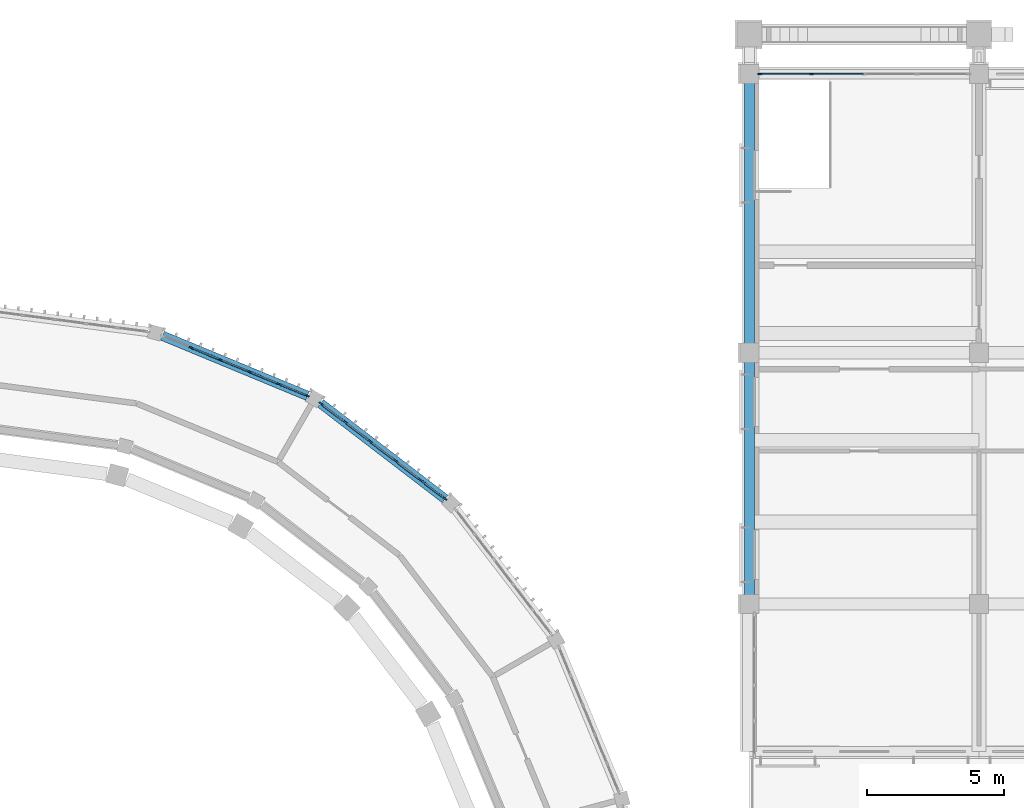
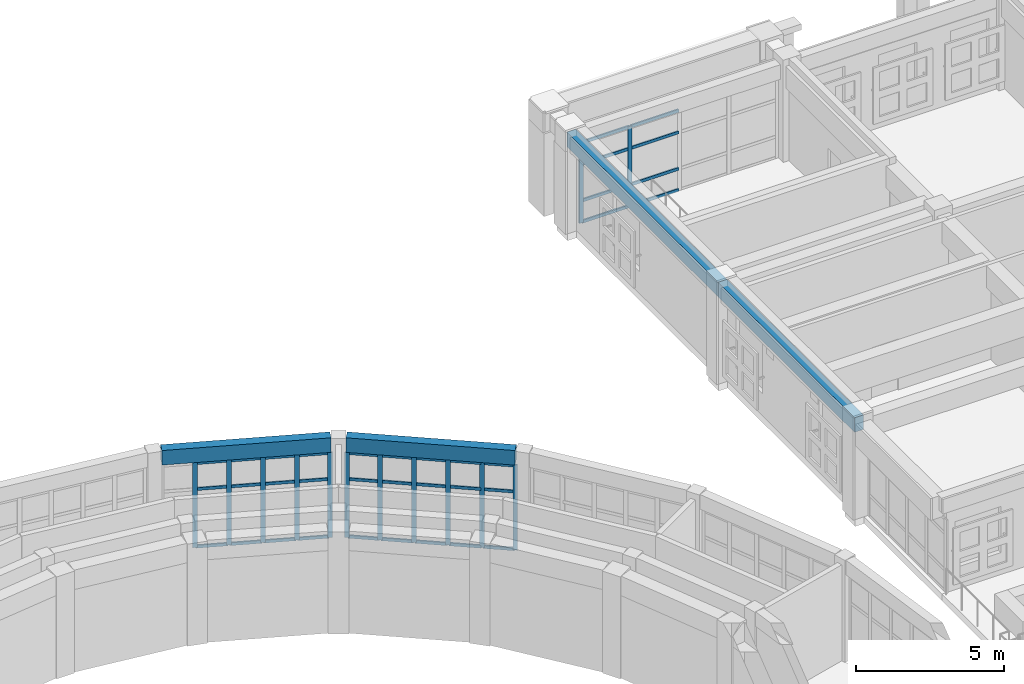
# One storey, part 23 of 99: 48 members, 4 beams, 3 elements without a shape of their own.
"""IFC4 building model written with IfcOpenShell, lengths in metres."""

from ifc_helpers import new_model, si_unit, direction, frame, origin, origin_2d, place, context, subcontext, project, spatial, rectangle, extrude, material, layer, layer_set, material_profile, profile_set, type_object, element, aggregate, save


model = new_model("IFC4")

# Units and contexts
model_context = context("Model", 3, precision=1e-05, world=origin(), true_north=direction((0.0, 1.0)))
body_context = subcontext(model_context, "Body", "Model", "MODEL_VIEW")
ifc_project = project(units=[si_unit("LENGTHUNIT", "METRE"), si_unit("AREAUNIT", "SQUARE_METRE"), si_unit("VOLUMEUNIT", "CUBIC_METRE"), si_unit("PLANEANGLEUNIT", "RADIAN"), si_unit("MASSUNIT", "GRAM", prefix="KILO")], contexts=[model_context])

# Site, building, storey
site_placement = place(None, origin())
site = spatial("IfcSite", under=ifc_project, at=site_placement, CompositionType="ELEMENT")
building_placement = place(site_placement, origin())
building = spatial("IfcBuilding", under=site, at=building_placement, Name="Wasatch Bagh Community Centre", CompositionType="ELEMENT")
storey_placement = place(building_placement, frame((0.0, 0.0, 4.199951171875)))
storey = spatial("IfcBuildingStorey", under=building, at=storey_placement, Name="L01", CompositionType="ELEMENT", Elevation=4.199951171875)

# Curtain wall, members
ifc_material_1 = material(Name="Aluminium curtain wall frame with low-iron insulated glass", Category="aluminium")
ifc_layer_1 = layer(ifc_material_1, 0.14990234375)
ifc_layer_set_1 = layer_set([ifc_layer_1], Name="Aluminium curtain wall frame with low-iron insulated glass")
curtain_wall_type_1 = type_object("IfcCurtainWallType", Name="Drum curtain wall DR-CW2", PredefinedType="NOTDEFINED", material=ifc_layer_set_1)
curtain_wall_1_placement = place(storey_placement, origin())
curtain_wall_1 = element("IfcCurtainWall", 1, at=curtain_wall_1_placement, inside=storey, type_object=curtain_wall_type_1, Name="Curtain wall DR-CW2 22", PredefinedType="NOTDEFINED")
ifc_material_2 = material(Name="Aluminium curtain wall frame", Category="aluminium")
ifc_material_profile_1 = material_profile(ifc_material_2, rectangle(XDim=0.06005859375, YDim=0.159912109375, at=origin_2d()), Name="Drum mullion DR-CW2")
ifc_profile_set_1 = profile_set([ifc_material_profile_1], Name="Aluminium curtain wall frame")
member_type_1 = type_object("IfcMemberType", Name="Drum mullion DR-CW2", PredefinedType="MULLION", material=ifc_profile_set_1)
member_1_placement = place(storey_placement, frame((52.844482421875, 82.254638671875, 0.0), z_axis=(0.0, 0.0, 1.0), x_axis=(-0.608761429133, -0.793353340196, 0.0)))
member_1 = element("IfcMember", 2, at=member_1_placement, type_object=member_type_1, Name="DR-CW2 mullion 1", PredefinedType="MULLION", context=body_context, shape_type="SweptSolid", body=[
    extrude(rectangle(XDim=0.06005859375, YDim=0.159912109375, at=origin_2d()), origin(), (0.0, 0.0, 1.0), 3.5),
])
member_2_placement = place(storey_placement, frame((51.951416015625, 82.940185546875, 0.0), z_axis=(0.0, 0.0, 1.0), x_axis=(-0.608761429133, -0.793353340196, 0.0)))
member_2 = element("IfcMember", 3, at=member_2_placement, type_object=member_type_1, Name="DR-CW2 mullion 2", PredefinedType="MULLION", context=body_context, shape_type="SweptSolid", body=[
    extrude(rectangle(XDim=0.06005859375, YDim=0.159912109375, at=origin_2d()), origin(), (0.0, 0.0, 1.0), 3.5),
])
member_3_placement = place(storey_placement, frame((51.034423828125, 83.643798828125, 0.0), z_axis=(0.0, 0.0, 1.0), x_axis=(-0.608761429133, -0.793353340196, 0.0)))
member_3 = element("IfcMember", 4, at=member_3_placement, type_object=member_type_1, Name="DR-CW2 mullion 3", PredefinedType="MULLION", context=body_context, shape_type="SweptSolid", body=[
    extrude(rectangle(XDim=0.06005859375, YDim=0.159912109375, at=origin_2d()), origin(), (0.0, 0.0, 1.0), 3.5),
])
member_4_placement = place(storey_placement, frame((50.1171875, 84.347412109375, 0.0), z_axis=(0.0, 0.0, 1.0), x_axis=(-0.608761429133, -0.793353340196, 0.0)))
member_4 = element("IfcMember", 5, at=member_4_placement, type_object=member_type_1, Name="DR-CW2 mullion 4", PredefinedType="MULLION", context=body_context, shape_type="SweptSolid", body=[
    extrude(rectangle(XDim=0.06005859375, YDim=0.159912109375, at=origin_2d()), origin(), (0.0, 0.0, 1.0), 3.5),
])
member_5_placement = place(storey_placement, frame((49.2001953125, 85.051025390625, 0.0), z_axis=(0.0, 0.0, 1.0), x_axis=(-0.608761429133, -0.793353340196, 0.0)))
member_5 = element("IfcMember", 6, at=member_5_placement, type_object=member_type_1, Name="DR-CW2 mullion 5", PredefinedType="MULLION", context=body_context, shape_type="SweptSolid", body=[
    extrude(rectangle(XDim=0.06005859375, YDim=0.159912109375, at=origin_2d()), origin(), (0.0, 0.0, 1.0), 3.5),
])
member_6_placement = place(storey_placement, frame((48.30712890625, 85.736328125, 0.0), z_axis=(0.0, 0.0, 1.0), x_axis=(-0.608761429133, -0.793353340196, 0.0)))
member_6 = element("IfcMember", 7, at=member_6_placement, type_object=member_type_1, Name="DR-CW2 mullion 6", PredefinedType="MULLION", context=body_context, shape_type="SweptSolid", body=[
    extrude(rectangle(XDim=0.06005859375, YDim=0.159912109375, at=origin_2d()), origin(), (0.0, 0.0, 1.0), 3.5),
])

curtain_wall_2_placement = place(storey_placement, origin())
curtain_wall_2 = element("IfcCurtainWall", 8, at=curtain_wall_2_placement, inside=storey, type_object=curtain_wall_type_1, Name="Curtain wall DR-CW2 23", PredefinedType="NOTDEFINED")
member_7_placement = place(storey_placement, frame((47.8046875, 86.0263671875, 0.0), z_axis=(0.0, 0.0, 1.0), x_axis=(-0.38268343251, -0.923879532451, 0.0)))
member_7 = element("IfcMember", 9, at=member_7_placement, type_object=member_type_1, Name="DR-CW2 mullion 1", PredefinedType="MULLION", context=body_context, shape_type="SweptSolid", body=[
    extrude(rectangle(XDim=0.06005859375, YDim=0.159912109375, at=origin_2d()), origin(), (0.0, 0.0, 1.0), 3.5),
])
member_8_placement = place(storey_placement, frame((46.7646484375, 86.457275390625, 0.0), z_axis=(0.0, 0.0, 1.0), x_axis=(-0.38268343251, -0.923879532451, 0.0)))
member_8 = element("IfcMember", 10, at=member_8_placement, type_object=member_type_1, Name="DR-CW2 mullion 2", PredefinedType="MULLION", context=body_context, shape_type="SweptSolid", body=[
    extrude(rectangle(XDim=0.06005859375, YDim=0.159912109375, at=origin_2d()), origin(), (0.0, 0.0, 1.0), 3.5),
])
member_9_placement = place(storey_placement, frame((45.69677734375, 86.899658203125, 0.0), z_axis=(0.0, 0.0, 1.0), x_axis=(-0.38268343251, -0.923879532451, 0.0)))
member_9 = element("IfcMember", 11, at=member_9_placement, type_object=member_type_1, Name="DR-CW2 mullion 3", PredefinedType="MULLION", context=body_context, shape_type="SweptSolid", body=[
    extrude(rectangle(XDim=0.06005859375, YDim=0.159912109375, at=origin_2d()), origin(), (0.0, 0.0, 1.0), 3.5),
])
member_10_placement = place(storey_placement, frame((44.62890625, 87.342041015625, 0.0), z_axis=(0.0, 0.0, 1.0), x_axis=(-0.38268343251, -0.923879532451, 0.0)))
member_10 = element("IfcMember", 12, at=member_10_placement, type_object=member_type_1, Name="DR-CW2 mullion 4", PredefinedType="MULLION", context=body_context, shape_type="SweptSolid", body=[
    extrude(rectangle(XDim=0.06005859375, YDim=0.159912109375, at=origin_2d()), origin(), (0.0, 0.0, 1.0), 3.5),
])
member_11_placement = place(storey_placement, frame((43.560791015625, 87.784423828125, 0.0), z_axis=(0.0, 0.0, 1.0), x_axis=(-0.38268343251, -0.923879532451, 0.0)))
member_11 = element("IfcMember", 13, at=member_11_placement, type_object=member_type_1, Name="DR-CW2 mullion 5", PredefinedType="MULLION", context=body_context, shape_type="SweptSolid", body=[
    extrude(rectangle(XDim=0.06005859375, YDim=0.159912109375, at=origin_2d()), origin(), (0.0, 0.0, 1.0), 3.5),
])

# Beams
ifc_material_3 = material(Name="Concrete C35", Category="concrete")
ifc_material_profile_2 = material_profile(ifc_material_3, rectangle(XDim=0.35009765625, YDim=0.60009765625, at=origin_2d()), Name="RC 350x600")
ifc_profile_set_2 = profile_set([ifc_material_profile_2], Name="Concrete C35")
beam_type_1 = type_object("IfcBeamType", Name="Drum ring beam RC 350x600", PredefinedType="BEAM", material=ifc_profile_set_2)
beam_1_placement = place(storey_placement, frame((52.85791015625, 82.244384765625, 3.900146484375), z_axis=(-0.793356989288, 0.608756673514, 0.0), x_axis=(-0.608756673514, -0.793356989288, 0.0)))
element("IfcBeam", 14, at=beam_1_placement, inside=storey, type_object=beam_type_1, Name="Ring beam 8.4 DO-N3-DO-N4", PredefinedType="BEAM", context=body_context, shape_type="SweptSolid", body=[
    extrude(rectangle(XDim=0.35009765625, YDim=0.60009765625, at=origin_2d()), origin(), (0.0, 0.0, 1.0), 5.7529296875),
])
beam_2_placement = place(storey_placement, frame((47.8203125, 86.02001953125, 3.900146484375), z_axis=(-0.923877183952, 0.38268910224, 0.0), x_axis=(-0.38268910224, -0.923877183952, 0.0)))
element("IfcBeam", 15, at=beam_2_placement, inside=storey, type_object=beam_type_1, Name="Ring beam 8.4 DO-N4-DO-N5", PredefinedType="BEAM", context=body_context, shape_type="SweptSolid", body=[
    extrude(rectangle(XDim=0.35009765625, YDim=0.60009765625, at=origin_2d()), origin(), (0.0, 0.0, 1.0), 5.753173828125),
])

# Member
ifc_material_profile_3 = material_profile(ifc_material_2, rectangle(XDim=0.06005859375, YDim=0.1201171875, at=origin_2d()), Name="Drum transom DR-CW2")
ifc_profile_set_3 = profile_set([ifc_material_profile_3], Name="Aluminium curtain wall frame")
member_type_2 = type_object("IfcMemberType", Name="Drum transom DR-CW2", PredefinedType="USERDEFINED", material=ifc_profile_set_3)
member_12_placement = place(storey_placement, frame((52.82080078125, 82.27294921875, 0.030029296875), z_axis=(-0.793355628453, 0.608758447006, 0.0), x_axis=(-0.608758447006, -0.793355628453, 0.0)))
member_12 = element("IfcMember", 16, at=member_12_placement, type_object=member_type_2, Name="DR-CW2 transom 1.1", ObjectType="TRANSOM", PredefinedType="USERDEFINED", context=body_context, shape_type="SweptSolid", body=[
    extrude(rectangle(XDim=0.06005859375, YDim=0.1201171875, at=origin_2d()), origin(), (0.0, 0.0, 1.0), 1.06591796875),
])

member_13_placement = place(storey_placement, frame((52.82080078125, 82.27294921875, 2.400146484375), z_axis=(-0.793355628453, 0.608758447006, 0.0), x_axis=(-0.608758447006, -0.793355628453, 0.0)))
member_13 = element("IfcMember", 17, at=member_13_placement, type_object=member_type_2, Name="DR-CW2 transom 1.2", ObjectType="TRANSOM", PredefinedType="USERDEFINED", context=body_context, shape_type="SweptSolid", body=[
    extrude(rectangle(XDim=0.06005859375, YDim=0.1201171875, at=origin_2d()), origin(), (0.0, 0.0, 1.0), 1.06591796875),
])

member_14_placement = place(storey_placement, frame((52.82080078125, 82.27294921875, 3.469970703125), z_axis=(-0.793355628453, 0.608758447006, 0.0), x_axis=(-0.608758447006, -0.793355628453, 0.0)))
member_14 = element("IfcMember", 18, at=member_14_placement, type_object=member_type_2, Name="DR-CW2 transom 1.3", ObjectType="TRANSOM", PredefinedType="USERDEFINED", context=body_context, shape_type="SweptSolid", body=[
    extrude(rectangle(XDim=0.06005859375, YDim=0.1201171875, at=origin_2d()), origin(), (0.0, 0.0, 1.0), 1.06591796875),
])

member_15_placement = place(storey_placement, frame((51.927490234375, 82.958251953125, 0.030029296875), z_axis=(-0.793294312563, 0.608838347721, 0.0), x_axis=(-0.608838347721, -0.793294312563, 0.0)))
member_15 = element("IfcMember", 19, at=member_15_placement, type_object=member_type_2, Name="DR-CW2 transom 2.1", ObjectType="TRANSOM", PredefinedType="USERDEFINED", context=body_context, shape_type="SweptSolid", body=[
    extrude(rectangle(XDim=0.06005859375, YDim=0.1201171875, at=origin_2d()), origin(), (0.0, 0.0, 1.0), 1.095947265625),
])

member_16_placement = place(storey_placement, frame((51.927490234375, 82.958251953125, 2.400146484375), z_axis=(-0.793294312563, 0.608838347721, 0.0), x_axis=(-0.608838347721, -0.793294312563, 0.0)))
member_16 = element("IfcMember", 20, at=member_16_placement, type_object=member_type_2, Name="DR-CW2 transom 2.2", ObjectType="TRANSOM", PredefinedType="USERDEFINED", context=body_context, shape_type="SweptSolid", body=[
    extrude(rectangle(XDim=0.06005859375, YDim=0.1201171875, at=origin_2d()), origin(), (0.0, 0.0, 1.0), 1.095947265625),
])

member_17_placement = place(storey_placement, frame((51.927490234375, 82.958251953125, 3.469970703125), z_axis=(-0.793294312563, 0.608838347721, 0.0), x_axis=(-0.608838347721, -0.793294312563, 0.0)))
member_17 = element("IfcMember", 21, at=member_17_placement, type_object=member_type_2, Name="DR-CW2 transom 2.3", ObjectType="TRANSOM", PredefinedType="USERDEFINED", context=body_context, shape_type="SweptSolid", body=[
    extrude(rectangle(XDim=0.06005859375, YDim=0.1201171875, at=origin_2d()), origin(), (0.0, 0.0, 1.0), 1.095947265625),
])

member_18_placement = place(storey_placement, frame((51.010498046875, 83.662109375, 0.030029296875), z_axis=(-0.793401911405, 0.608698124672, 0.0), x_axis=(-0.608698124672, -0.793401911405, 0.0)))
member_18 = element("IfcMember", 22, at=member_18_placement, type_object=member_type_2, Name="DR-CW2 transom 3.1", ObjectType="TRANSOM", PredefinedType="USERDEFINED", context=body_context, shape_type="SweptSolid", body=[
    extrude(rectangle(XDim=0.06005859375, YDim=0.1201171875, at=origin_2d()), origin(), (0.0, 0.0, 1.0), 1.095703125),
])

member_19_placement = place(storey_placement, frame((51.010498046875, 83.662109375, 2.400146484375), z_axis=(-0.793401911405, 0.608698124672, 0.0), x_axis=(-0.608698124672, -0.793401911405, 0.0)))
member_19 = element("IfcMember", 23, at=member_19_placement, type_object=member_type_2, Name="DR-CW2 transom 3.2", ObjectType="TRANSOM", PredefinedType="USERDEFINED", context=body_context, shape_type="SweptSolid", body=[
    extrude(rectangle(XDim=0.06005859375, YDim=0.1201171875, at=origin_2d()), origin(), (0.0, 0.0, 1.0), 1.095703125),
])

member_20_placement = place(storey_placement, frame((51.010498046875, 83.662109375, 3.469970703125), z_axis=(-0.793401911405, 0.608698124672, 0.0), x_axis=(-0.608698124672, -0.793401911405, 0.0)))
member_20 = element("IfcMember", 24, at=member_20_placement, type_object=member_type_2, Name="DR-CW2 transom 3.3", ObjectType="TRANSOM", PredefinedType="USERDEFINED", context=body_context, shape_type="SweptSolid", body=[
    extrude(rectangle(XDim=0.06005859375, YDim=0.1201171875, at=origin_2d()), origin(), (0.0, 0.0, 1.0), 1.095703125),
])

member_21_placement = place(storey_placement, frame((50.093505859375, 84.36572265625, 0.030029296875), z_axis=(-0.793401911405, 0.608698124672, 0.0), x_axis=(-0.608698124672, -0.793401911405, 0.0)))
member_21 = element("IfcMember", 25, at=member_21_placement, type_object=member_type_2, Name="DR-CW2 transom 4.1", ObjectType="TRANSOM", PredefinedType="USERDEFINED", context=body_context, shape_type="SweptSolid", body=[
    extrude(rectangle(XDim=0.06005859375, YDim=0.1201171875, at=origin_2d()), origin(), (0.0, 0.0, 1.0), 1.095703125),
])

member_22_placement = place(storey_placement, frame((50.093505859375, 84.36572265625, 2.400146484375), z_axis=(-0.793401911405, 0.608698124672, 0.0), x_axis=(-0.608698124672, -0.793401911405, 0.0)))
member_22 = element("IfcMember", 26, at=member_22_placement, type_object=member_type_2, Name="DR-CW2 transom 4.2", ObjectType="TRANSOM", PredefinedType="USERDEFINED", context=body_context, shape_type="SweptSolid", body=[
    extrude(rectangle(XDim=0.06005859375, YDim=0.1201171875, at=origin_2d()), origin(), (0.0, 0.0, 1.0), 1.095703125),
])

member_23_placement = place(storey_placement, frame((50.093505859375, 84.36572265625, 3.469970703125), z_axis=(-0.793401911405, 0.608698124672, 0.0), x_axis=(-0.608698124672, -0.793401911405, 0.0)))
member_23 = element("IfcMember", 27, at=member_23_placement, type_object=member_type_2, Name="DR-CW2 transom 4.3", ObjectType="TRANSOM", PredefinedType="USERDEFINED", context=body_context, shape_type="SweptSolid", body=[
    extrude(rectangle(XDim=0.06005859375, YDim=0.1201171875, at=origin_2d()), origin(), (0.0, 0.0, 1.0), 1.095703125),
])

member_24_placement = place(storey_placement, frame((49.176513671875, 85.0693359375, 0.030029296875), z_axis=(-0.793355628453, 0.608758447006, 0.0), x_axis=(-0.608758447006, -0.793355628453, 0.0)))
member_24 = element("IfcMember", 28, at=member_24_placement, type_object=member_type_2, Name="DR-CW2 transom 5.1", ObjectType="TRANSOM", PredefinedType="USERDEFINED", context=body_context, shape_type="SweptSolid", body=[
    extrude(rectangle(XDim=0.06005859375, YDim=0.1201171875, at=origin_2d()), origin(), (0.0, 0.0, 1.0), 1.06591796875),
])

member_25_placement = place(storey_placement, frame((49.176513671875, 85.0693359375, 2.400146484375), z_axis=(-0.793355628453, 0.608758447006, 0.0), x_axis=(-0.608758447006, -0.793355628453, 0.0)))
member_25 = element("IfcMember", 29, at=member_25_placement, type_object=member_type_2, Name="DR-CW2 transom 5.2", ObjectType="TRANSOM", PredefinedType="USERDEFINED", context=body_context, shape_type="SweptSolid", body=[
    extrude(rectangle(XDim=0.06005859375, YDim=0.1201171875, at=origin_2d()), origin(), (0.0, 0.0, 1.0), 1.06591796875),
])

member_26_placement = place(storey_placement, frame((49.176513671875, 85.0693359375, 3.469970703125), z_axis=(-0.793355628453, 0.608758447006, 0.0), x_axis=(-0.608758447006, -0.793355628453, 0.0)))
member_26 = element("IfcMember", 30, at=member_26_placement, type_object=member_type_2, Name="DR-CW2 transom 5.3", ObjectType="TRANSOM", PredefinedType="USERDEFINED", context=body_context, shape_type="SweptSolid", body=[
    extrude(rectangle(XDim=0.06005859375, YDim=0.1201171875, at=origin_2d()), origin(), (0.0, 0.0, 1.0), 1.06591796875),
])

aggregate(curtain_wall_1, [member_1, member_2, member_3, member_4, member_5, member_6, member_12, member_13, member_14, member_15, member_16, member_17, member_18, member_19, member_20, member_21, member_22, member_23, member_24, member_25, member_26])

member_27_placement = place(storey_placement, frame((47.777099609375, 86.037841796875, 0.030029296875), z_axis=(-0.923874472572, 0.38269564791, 0.0), x_axis=(-0.38269564791, -0.923874472572, 0.0)))
member_27 = element("IfcMember", 31, at=member_27_placement, type_object=member_type_2, Name="DR-CW2 transom 1.1", ObjectType="TRANSOM", PredefinedType="USERDEFINED", context=body_context, shape_type="SweptSolid", body=[
    extrude(rectangle(XDim=0.06005859375, YDim=0.1201171875, at=origin_2d()), origin(), (0.0, 0.0, 1.0), 1.06591796875),
])

member_28_placement = place(storey_placement, frame((47.777099609375, 86.037841796875, 2.400146484375), z_axis=(-0.923874472572, 0.38269564791, 0.0), x_axis=(-0.38269564791, -0.923874472572, 0.0)))
member_28 = element("IfcMember", 32, at=member_28_placement, type_object=member_type_2, Name="DR-CW2 transom 1.2", ObjectType="TRANSOM", PredefinedType="USERDEFINED", context=body_context, shape_type="SweptSolid", body=[
    extrude(rectangle(XDim=0.06005859375, YDim=0.1201171875, at=origin_2d()), origin(), (0.0, 0.0, 1.0), 1.06591796875),
])

member_29_placement = place(storey_placement, frame((47.777099609375, 86.037841796875, 3.469970703125), z_axis=(-0.923874472572, 0.38269564791, 0.0), x_axis=(-0.38269564791, -0.923874472572, 0.0)))
member_29 = element("IfcMember", 33, at=member_29_placement, type_object=member_type_2, Name="DR-CW2 transom 1.3", ObjectType="TRANSOM", PredefinedType="USERDEFINED", context=body_context, shape_type="SweptSolid", body=[
    extrude(rectangle(XDim=0.06005859375, YDim=0.1201171875, at=origin_2d()), origin(), (0.0, 0.0, 1.0), 1.06591796875),
])

member_30_placement = place(storey_placement, frame((46.73681640625, 86.46875, 0.030029296875), z_axis=(-0.923859339579, 0.382732178779, 0.0), x_axis=(-0.382732178779, -0.923859339579, 0.0)))
member_30 = element("IfcMember", 34, at=member_30_placement, type_object=member_type_2, Name="DR-CW2 transom 2.1", ObjectType="TRANSOM", PredefinedType="USERDEFINED", context=body_context, shape_type="SweptSolid", body=[
    extrude(rectangle(XDim=0.06005859375, YDim=0.1201171875, at=origin_2d()), origin(), (0.0, 0.0, 1.0), 1.095947265625),
])

member_31_placement = place(storey_placement, frame((46.73681640625, 86.46875, 2.400146484375), z_axis=(-0.923859339579, 0.382732178779, 0.0), x_axis=(-0.382732178779, -0.923859339579, 0.0)))
member_31 = element("IfcMember", 35, at=member_31_placement, type_object=member_type_2, Name="DR-CW2 transom 2.2", ObjectType="TRANSOM", PredefinedType="USERDEFINED", context=body_context, shape_type="SweptSolid", body=[
    extrude(rectangle(XDim=0.06005859375, YDim=0.1201171875, at=origin_2d()), origin(), (0.0, 0.0, 1.0), 1.095947265625),
])

member_32_placement = place(storey_placement, frame((46.73681640625, 86.46875, 3.469970703125), z_axis=(-0.923859339579, 0.382732178779, 0.0), x_axis=(-0.382732178779, -0.923859339579, 0.0)))
member_32 = element("IfcMember", 36, at=member_32_placement, type_object=member_type_2, Name="DR-CW2 transom 2.3", ObjectType="TRANSOM", PredefinedType="USERDEFINED", context=body_context, shape_type="SweptSolid", body=[
    extrude(rectangle(XDim=0.06005859375, YDim=0.1201171875, at=origin_2d()), origin(), (0.0, 0.0, 1.0), 1.095947265625),
])

member_33_placement = place(storey_placement, frame((45.6689453125, 86.9111328125, 0.030029296875), z_axis=(-0.923859339579, 0.382732178779, 0.0), x_axis=(-0.382732178779, -0.923859339579, 0.0)))
member_33 = element("IfcMember", 37, at=member_33_placement, type_object=member_type_2, Name="DR-CW2 transom 3.1", ObjectType="TRANSOM", PredefinedType="USERDEFINED", context=body_context, shape_type="SweptSolid", body=[
    extrude(rectangle(XDim=0.06005859375, YDim=0.1201171875, at=origin_2d()), origin(), (0.0, 0.0, 1.0), 1.095947265625),
])

member_34_placement = place(storey_placement, frame((45.6689453125, 86.9111328125, 2.400146484375), z_axis=(-0.923859339579, 0.382732178779, 0.0), x_axis=(-0.382732178779, -0.923859339579, 0.0)))
member_34 = element("IfcMember", 38, at=member_34_placement, type_object=member_type_2, Name="DR-CW2 transom 3.2", ObjectType="TRANSOM", PredefinedType="USERDEFINED", context=body_context, shape_type="SweptSolid", body=[
    extrude(rectangle(XDim=0.06005859375, YDim=0.1201171875, at=origin_2d()), origin(), (0.0, 0.0, 1.0), 1.095947265625),
])

member_35_placement = place(storey_placement, frame((45.6689453125, 86.9111328125, 3.469970703125), z_axis=(-0.923859339579, 0.382732178779, 0.0), x_axis=(-0.382732178779, -0.923859339579, 0.0)))
member_35 = element("IfcMember", 39, at=member_35_placement, type_object=member_type_2, Name="DR-CW2 transom 3.3", ObjectType="TRANSOM", PredefinedType="USERDEFINED", context=body_context, shape_type="SweptSolid", body=[
    extrude(rectangle(XDim=0.06005859375, YDim=0.1201171875, at=origin_2d()), origin(), (0.0, 0.0, 1.0), 1.095947265625),
])

member_36_placement = place(storey_placement, frame((44.60107421875, 87.353515625, 0.030029296875), z_axis=(-0.923859339579, 0.382732178779, 0.0), x_axis=(-0.382732178779, -0.923859339579, 0.0)))
member_36 = element("IfcMember", 40, at=member_36_placement, type_object=member_type_2, Name="DR-CW2 transom 4.1", ObjectType="TRANSOM", PredefinedType="USERDEFINED", context=body_context, shape_type="SweptSolid", body=[
    extrude(rectangle(XDim=0.06005859375, YDim=0.1201171875, at=origin_2d()), origin(), (0.0, 0.0, 1.0), 1.095947265625),
])

member_37_placement = place(storey_placement, frame((44.60107421875, 87.353515625, 2.400146484375), z_axis=(-0.923859339579, 0.382732178779, 0.0), x_axis=(-0.382732178779, -0.923859339579, 0.0)))
member_37 = element("IfcMember", 41, at=member_37_placement, type_object=member_type_2, Name="DR-CW2 transom 4.2", ObjectType="TRANSOM", PredefinedType="USERDEFINED", context=body_context, shape_type="SweptSolid", body=[
    extrude(rectangle(XDim=0.06005859375, YDim=0.1201171875, at=origin_2d()), origin(), (0.0, 0.0, 1.0), 1.095947265625),
])

member_38_placement = place(storey_placement, frame((44.60107421875, 87.353515625, 3.469970703125), z_axis=(-0.923859339579, 0.382732178779, 0.0), x_axis=(-0.382732178779, -0.923859339579, 0.0)))
member_38 = element("IfcMember", 42, at=member_38_placement, type_object=member_type_2, Name="DR-CW2 transom 4.3", ObjectType="TRANSOM", PredefinedType="USERDEFINED", context=body_context, shape_type="SweptSolid", body=[
    extrude(rectangle(XDim=0.06005859375, YDim=0.1201171875, at=origin_2d()), origin(), (0.0, 0.0, 1.0), 1.095947265625),
])

aggregate(curtain_wall_2, [member_7, member_8, member_9, member_10, member_11, member_27, member_28, member_29, member_30, member_31, member_32, member_33, member_34, member_35, member_36, member_37, member_38])

# Beams
ifc_material_profile_4 = material_profile(ifc_material_3, rectangle(XDim=0.35009765625, YDim=0.60009765625, at=origin_2d()), Name="RC 350x600")
ifc_profile_set_4 = profile_set([ifc_material_profile_4], Name="Concrete C35")
beam_type_2 = type_object("IfcBeamType", Name="LW RC 350x600", PredefinedType="BEAM", material=ifc_profile_set_4)
beam_3_placement = place(storey_placement, frame((64.0, 78.39990234375, 3.6201171875), z_axis=(0.0, 1.0, 0.0), x_axis=(-1.0, 0.0, 0.0)))
element("IfcBeam", 43, at=beam_3_placement, inside=storey, type_object=beam_type_2, Name="W1S-M", PredefinedType="BEAM", context=body_context, shape_type="SweptSolid", body=[
    extrude(rectangle(XDim=0.35009765625, YDim=0.60009765625, at=origin_2d()), origin(), (0.0, 0.0, 1.0), 9.2001953125),
])
beam_4_placement = place(storey_placement, frame((64.0, 87.60009765625, 3.6201171875), z_axis=(0.0, 1.0, 0.0), x_axis=(-1.0, 0.0, 0.0)))
element("IfcBeam", 44, at=beam_4_placement, inside=storey, type_object=beam_type_2, Name="W1M-N", PredefinedType="BEAM", context=body_context, shape_type="SweptSolid", body=[
    extrude(rectangle(XDim=0.35009765625, YDim=0.60009765625, at=origin_2d()), origin(), (0.0, 0.0, 1.0), 10.199951171875),
])

# Curtain wall, members
ifc_material_4 = material(Name="Aluminium curtain wall frame with low-iron glass", Category="aluminium")
ifc_layer_2 = layer(ifc_material_4, 0.10009765625)
ifc_layer_set_2 = layer_set([ifc_layer_2], Name="Aluminium curtain wall frame with low-iron glass")
curtain_wall_type_2 = type_object("IfcCurtainWallType", Name="LW curtain wall 100", PredefinedType="NOTDEFINED", material=ifc_layer_set_2)
curtain_wall_3_placement = place(storey_placement, origin())
curtain_wall_3 = element("IfcCurtainWall", 45, at=curtain_wall_3_placement, inside=storey, type_object=curtain_wall_type_2, Name="Curtain wall 01.01", PredefinedType="NOTDEFINED")
ifc_material_5 = material(Name="Aluminium extrusion", Category="aluminium")
ifc_material_profile_5 = material_profile(ifc_material_5, rectangle(XDim=0.06005859375, YDim=0.159912109375, at=origin_2d()), Name="AL 60x160")
ifc_profile_set_5 = profile_set([ifc_material_profile_5], Name="Aluminium extrusion")
member_type_3 = type_object("IfcMemberType", Name="LW curtain wall mullion 60x160", PredefinedType="MULLION", material=ifc_profile_set_5)
member_39_placement = place(storey_placement, frame((64.3798828125, 97.800048828125, 0.0), z_axis=(0.0, 0.0, 1.0), x_axis=(0.0, 1.0, 0.0)))
member_39 = element("IfcMember", 46, at=member_39_placement, type_object=member_type_3, Name="LW-CW1 mullion 1", PredefinedType="MULLION", context=body_context, shape_type="SweptSolid", body=[
    extrude(rectangle(XDim=0.06005859375, YDim=0.159912109375, at=origin_2d()), origin(), (0.0, 0.0, 1.0), 3.320068359375),
])
member_40_placement = place(storey_placement, frame((66.27490234375, 97.800048828125, 0.0), z_axis=(0.0, 0.0, 1.0), x_axis=(0.0, 1.0, 0.0)))
member_40 = element("IfcMember", 47, at=member_40_placement, type_object=member_type_3, Name="LW-CW1 mullion 2", PredefinedType="MULLION", context=body_context, shape_type="SweptSolid", body=[
    extrude(rectangle(XDim=0.06005859375, YDim=0.159912109375, at=origin_2d()), origin(), (0.0, 0.0, 1.0), 3.320068359375),
])
ifc_material_profile_6 = material_profile(ifc_material_5, rectangle(XDim=0.06005859375, YDim=0.1201171875, at=origin_2d()), Name="AL 60x120")
ifc_profile_set_6 = profile_set([ifc_material_profile_6], Name="Aluminium extrusion")
member_type_4 = type_object("IfcMemberType", Name="LW curtain wall transom 60x120", PredefinedType="USERDEFINED", material=ifc_profile_set_6)
member_41_placement = place(storey_placement, frame((64.409912109375, 97.800048828125, 0.030029296875), z_axis=(1.0, 0.0, 0.0), x_axis=(0.0, 1.0, 0.0)))
member_41 = element("IfcMember", 48, at=member_41_placement, type_object=member_type_4, Name="LW-CW1 transom 1.1", ObjectType="TRANSOM", PredefinedType="USERDEFINED", context=body_context, shape_type="SweptSolid", body=[
    extrude(rectangle(XDim=0.06005859375, YDim=0.1201171875, at=origin_2d()), origin(), (0.0, 0.0, 1.0), 1.835205078125),
])
member_42_placement = place(storey_placement, frame((64.409912109375, 97.800048828125, 0.900146484375), z_axis=(1.0, 0.0, 0.0), x_axis=(0.0, 1.0, 0.0)))
member_42 = element("IfcMember", 49, at=member_42_placement, type_object=member_type_4, Name="LW-CW1 transom 1.2", ObjectType="TRANSOM", PredefinedType="USERDEFINED", context=body_context, shape_type="SweptSolid", body=[
    extrude(rectangle(XDim=0.06005859375, YDim=0.1201171875, at=origin_2d()), origin(), (0.0, 0.0, 1.0), 1.835205078125),
])
member_43_placement = place(storey_placement, frame((64.409912109375, 97.800048828125, 2.400146484375), z_axis=(1.0, 0.0, 0.0), x_axis=(0.0, 1.0, 0.0)))
member_43 = element("IfcMember", 50, at=member_43_placement, type_object=member_type_4, Name="LW-CW1 transom 1.3", ObjectType="TRANSOM", PredefinedType="USERDEFINED", context=body_context, shape_type="SweptSolid", body=[
    extrude(rectangle(XDim=0.06005859375, YDim=0.1201171875, at=origin_2d()), origin(), (0.0, 0.0, 1.0), 1.835205078125),
])
member_44_placement = place(storey_placement, frame((64.409912109375, 97.800048828125, 3.2900390625), z_axis=(1.0, 0.0, 0.0), x_axis=(0.0, 1.0, 0.0)))
member_44 = element("IfcMember", 51, at=member_44_placement, type_object=member_type_4, Name="LW-CW1 transom 1.4", ObjectType="TRANSOM", PredefinedType="USERDEFINED", context=body_context, shape_type="SweptSolid", body=[
    extrude(rectangle(XDim=0.06005859375, YDim=0.1201171875, at=origin_2d()), origin(), (0.0, 0.0, 1.0), 1.835205078125),
])
member_45_placement = place(storey_placement, frame((66.304931640625, 97.800048828125, 0.030029296875), z_axis=(1.0, 0.0, 0.0), x_axis=(0.0, 1.0, 0.0)))
member_45 = element("IfcMember", 52, at=member_45_placement, type_object=member_type_4, Name="LW-CW1 transom 2.1", ObjectType="TRANSOM", PredefinedType="USERDEFINED", context=body_context, shape_type="SweptSolid", body=[
    extrude(rectangle(XDim=0.06005859375, YDim=0.1201171875, at=origin_2d()), origin(), (0.0, 0.0, 1.0), 1.864990234375),
])
member_46_placement = place(storey_placement, frame((66.304931640625, 97.800048828125, 0.900146484375), z_axis=(1.0, 0.0, 0.0), x_axis=(0.0, 1.0, 0.0)))
member_46 = element("IfcMember", 53, at=member_46_placement, type_object=member_type_4, Name="LW-CW1 transom 2.2", ObjectType="TRANSOM", PredefinedType="USERDEFINED", context=body_context, shape_type="SweptSolid", body=[
    extrude(rectangle(XDim=0.06005859375, YDim=0.1201171875, at=origin_2d()), origin(), (0.0, 0.0, 1.0), 1.864990234375),
])
member_47_placement = place(storey_placement, frame((66.304931640625, 97.800048828125, 2.400146484375), z_axis=(1.0, 0.0, 0.0), x_axis=(0.0, 1.0, 0.0)))
member_47 = element("IfcMember", 54, at=member_47_placement, type_object=member_type_4, Name="LW-CW1 transom 2.3", ObjectType="TRANSOM", PredefinedType="USERDEFINED", context=body_context, shape_type="SweptSolid", body=[
    extrude(rectangle(XDim=0.06005859375, YDim=0.1201171875, at=origin_2d()), origin(), (0.0, 0.0, 1.0), 1.864990234375),
])
member_48_placement = place(storey_placement, frame((66.304931640625, 97.800048828125, 3.2900390625), z_axis=(1.0, 0.0, 0.0), x_axis=(0.0, 1.0, 0.0)))
member_48 = element("IfcMember", 55, at=member_48_placement, type_object=member_type_4, Name="LW-CW1 transom 2.4", ObjectType="TRANSOM", PredefinedType="USERDEFINED", context=body_context, shape_type="SweptSolid", body=[
    extrude(rectangle(XDim=0.06005859375, YDim=0.1201171875, at=origin_2d()), origin(), (0.0, 0.0, 1.0), 1.864990234375),
])
aggregate(curtain_wall_3, [member_39, member_40, member_41, member_42, member_43, member_44, member_45, member_46, member_47, member_48])

save(model, "model.ifc")
